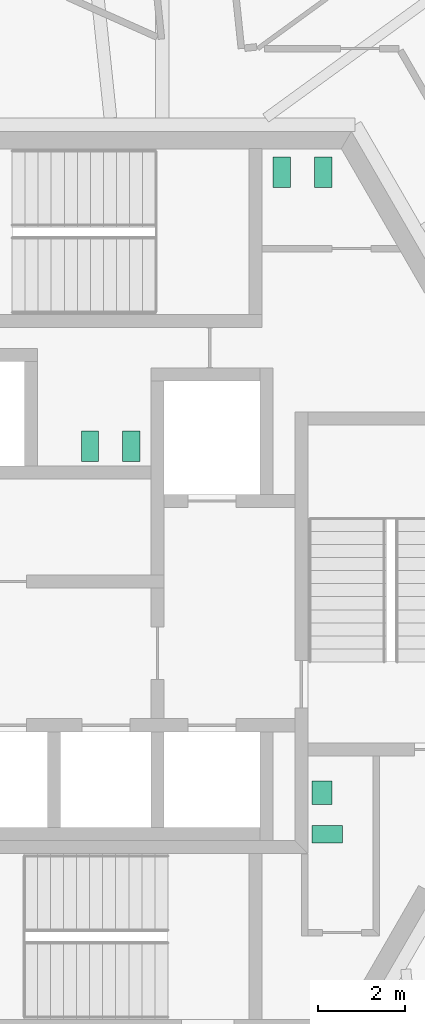
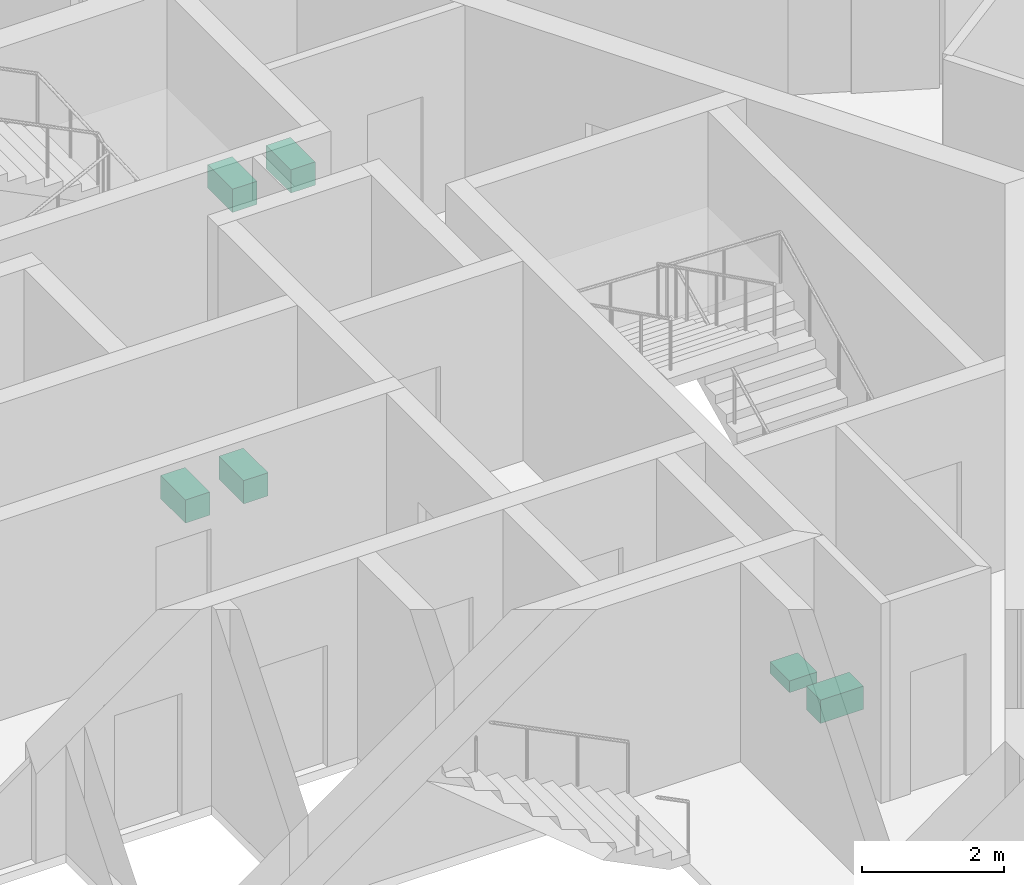
# One storey, part 19 of 21: 6 sanitary terminals.
"""IFC4 building model written with IfcOpenShell, lengths in metres."""

from ifc_helpers import new_model, si_unit, direction, frame, origin, origin_2d, place, context, subcontext, project, spatial, rectangle, extrude, source, transform, mapped, material, element, save


model = new_model("IFC4")

# Units and contexts
model_context = context("Model", 3, precision=1e-05, world=origin(), true_north=direction((0.0, 1.0)))
body_context = subcontext(model_context, "Body", "Model", "MODEL_VIEW")
ifc_project = project(units=[si_unit("LENGTHUNIT", "METRE"), si_unit("AREAUNIT", "SQUARE_METRE"), si_unit("VOLUMEUNIT", "CUBIC_METRE"), si_unit("PLANEANGLEUNIT", "RADIAN"), si_unit("MASSUNIT", "GRAM", prefix="KILO")], contexts=[model_context])

# Site, building, storey
site_placement = place(None, origin())
site = spatial("IfcSite", under=ifc_project, at=site_placement, CompositionType="ELEMENT")
building_placement = place(site_placement, origin())
building = spatial("IfcBuilding", under=site, at=building_placement, Name="Triune Harvest Tower", CompositionType="ELEMENT")
storey_placement = place(building_placement, frame((0.0, 0.0, 248.5)))
storey = spatial("IfcBuildingStorey", under=building, at=storey_placement, Name="L65", CompositionType="ELEMENT", Elevation=248.5)

# Sanitary terminals
ifc_material = material(Name="Vitreous china")
shared_shape_1 = source(origin(), body_context, "Body", "SweptSolid", [
    extrude(rectangle(XDim=0.39990234375, YDim=0.699951171875, at=origin_2d()), origin(), (0.0, 0.0, 1.0), 0.39990234375),
])
for number, where, z_axis, x_axis, name in (
    (1, (4.39990234375, 9.449951171875, 0.0), (0.0, 0.0, 1.0), (1.0, 0.0, 0.0), "Toilet pan L65.c01"),
    (2, (5.35009765625, 9.449951171875, 0.0), (0.0, 0.0, 1.0), (1.0, 0.0, 0.0), "Toilet pan L65.c02"),
    (3, (0.949951171875, 3.159912109375, 0.0), (0.0, 0.0, 1.0), (-1.0, 0.0, 0.0), "Toilet pan L65.c03"),
    (4, (0.0, 3.159912109375, 0.0), (0.0, 0.0, 1.0), (-1.0, 0.0, 0.0), "Toilet pan L65.c04"),
    (5, (5.449951171875, -5.739990234375, 0.0), (0.0, 0.0, 1.0), (0.0, 1.0, 0.0), "Toilet pan L65.c05"),
):
    element("IfcSanitaryTerminal", number, at=place(storey_placement, frame(where, z_axis=z_axis, x_axis=x_axis)), inside=storey, material=ifc_material, Name=name, PredefinedType="TOILETPAN", context=body_context, shape_type="MappedRepresentation", body=[
        mapped(shared_shape_1, transform((0.0, 0.0, 0.0), scale=1.0)),
    ])
shared_shape_2 = source(origin(), body_context, "Body", "SweptSolid", [
    extrude(rectangle(XDim=0.550048828125, YDim=0.449951171875, at=origin_2d()), origin(), (0.0, 0.0, 1.0), 0.199951171875),
])
sanitary_terminal_placement = place(storey_placement, frame((5.324951171875, -4.7900390625, 0.0), z_axis=(0.0, 0.0, 1.0), x_axis=(0.0, 1.0, 0.0)))
element("IfcSanitaryTerminal", 6, at=sanitary_terminal_placement, inside=storey, material=ifc_material, Name="Wash basin L65.c06", PredefinedType="WASHHANDBASIN", context=body_context, shape_type="MappedRepresentation", body=[
    mapped(shared_shape_2, transform((0.0, 0.0, 0.0), scale=1.0)),
])

save(model, "model.ifc")
